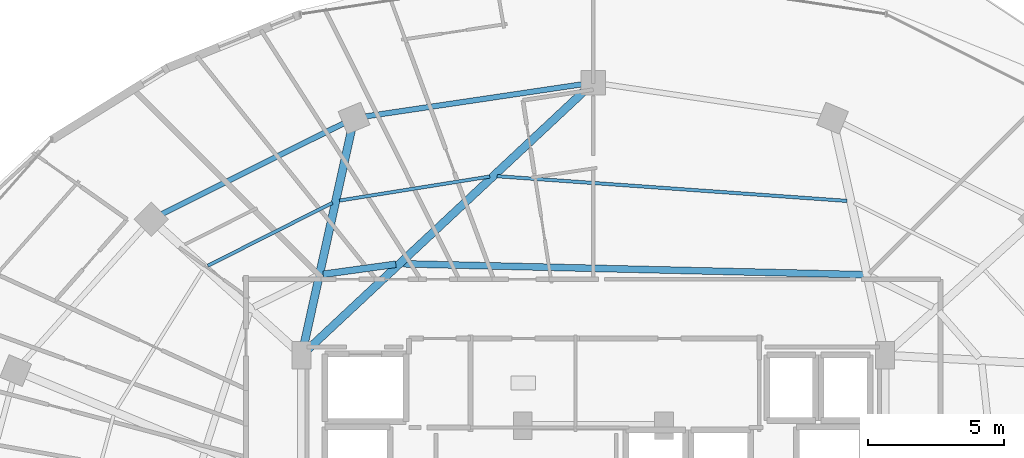
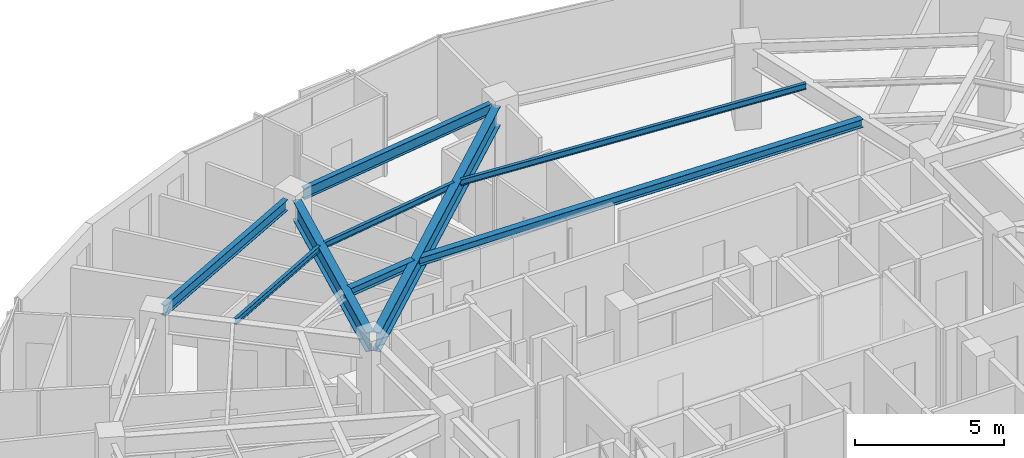
# One storey, part 17 of 32: 9 beams.
"""IFC4 building model written with IfcOpenShell, lengths in metres."""

import ifcopenshell
import ifcopenshell.guid

model = None  # the IFC model being written
_history = None  # IfcOwnerHistory: only IFC2X3 demands one
_inside = {}  # id of a spatial element -> (the spatial element, [elements in it])
_under = {}  # id of a project, library or spatial element -> (it, [spatial elements below it])
_declared = {}  # id of a project -> (the project, [libraries it declares])
_typed = {}  # id of a type object -> (the type object, [elements of that type])
_made_of = {}  # id of a material, layer set ... -> (it, [elements and type objects made of it])


def new_model(schema):
    """Start an empty IFC model of exactly this schema.

    Asked for "IFC4X3", IfcOpenShell would pick the latest addendum, in which some entities
    have other attributes; the version numbers below select the first issue.
    IFC2X3 requires an IfcOwnerHistory on every rooted entity: one is made here for all.
    """
    global model, _history
    if schema == "IFC4X3":
        model = ifcopenshell.file(schema_version=(4, 3, 0, 0))
    else:
        model = ifcopenshell.file(schema=schema)
    _inside.clear()
    _under.clear()
    _declared.clear()
    _typed.clear()
    _made_of.clear()
    _history = None
    if model.schema == "IFC2X3":
        org = make("IfcOrganization", Name="unknown")
        user = make(
            "IfcPersonAndOrganization",
            ThePerson=make("IfcPerson", FamilyName="unknown"),
            TheOrganization=org,
        )
        app = make(
            "IfcApplication",
            ApplicationDeveloper=org,
            Version="unknown",
            ApplicationFullName="unknown",
            ApplicationIdentifier="unknown",
        )
        _history = make(
            "IfcOwnerHistory",
            OwningUser=user,
            OwningApplication=app,
            ChangeAction="ADDED",
            CreationDate=0,
        )
    return model


def make(cls, **values):
    """One entity of the class cls with the attributes given. An attribute that is None is left unset."""
    return model.create_entity(
        cls, **{name: value for name, value in values.items() if value is not None}
    )


def rooted(cls, **values):
    """An entity with a GlobalId (a new one), such as an element, a storey or a relation."""
    return make(cls, GlobalId=ifcopenshell.guid.new(), OwnerHistory=_history, **values)


def si_unit(unit_type, name, prefix=None):
    """IfcSIUnit, for example si_unit("LENGTHUNIT", "METRE", prefix="MILLI")."""
    return make("IfcSIUnit", UnitType=unit_type, Prefix=prefix, Name=name)


def assignment(units):
    """IfcUnitAssignment: the units of a project."""
    return None if units is None else make("IfcUnitAssignment", Units=units)


def point(xyz):
    """IfcCartesianPoint."""
    return None if xyz is None else make("IfcCartesianPoint", Coordinates=xyz)


def direction(xyz):
    """IfcDirection."""
    return None if xyz is None else make("IfcDirection", DirectionRatios=xyz)


def frame(location, z_axis=None, x_axis=None):
    """IfcAxis2Placement3D, a coordinate frame: its origin and axes. An axis left out is left unset."""
    return make(
        "IfcAxis2Placement3D",
        Location=point(location),
        Axis=direction(z_axis),
        RefDirection=direction(x_axis),
    )


def frame_2d(location, x_axis=None):
    """IfcAxis2Placement2D, a coordinate frame in the plane: its origin and x axis."""
    return make(
        "IfcAxis2Placement2D", Location=point(location), RefDirection=direction(x_axis)
    )


def origin():
    """The frame at (0, 0, 0) with its axes left unset."""
    return frame((0.0, 0.0, 0.0))


def origin_2d():
    """The frame at (0, 0) in the plane with its x axis left unset."""
    return frame_2d((0.0, 0.0))


def place(relative_to, where):
    """IfcLocalPlacement: puts the frame where relative to a parent placement (None: the world)."""
    return make(
        "IfcLocalPlacement", PlacementRelTo=relative_to, RelativePlacement=where
    )


def context(
    kind, dimensions, precision=None, world=None, true_north=None, identifier=None
):
    """IfcGeometricRepresentationContext, for example the 3D "Model" context."""
    return make(
        "IfcGeometricRepresentationContext",
        ContextIdentifier=identifier,
        ContextType=kind,
        CoordinateSpaceDimension=dimensions,
        Precision=precision,
        WorldCoordinateSystem=world,
        TrueNorth=true_north,
    )


def subcontext(parent, identifier, kind, view, scale=None):
    """IfcGeometricRepresentationSubContext, for example "Body" below "Model"."""
    return make(
        "IfcGeometricRepresentationSubContext",
        ContextIdentifier=identifier,
        ContextType=kind,
        ParentContext=parent,
        TargetScale=scale,
        TargetView=view,
    )


def project(units=None, contexts=None):
    """IfcProject with its units and contexts."""
    return rooted(
        "IfcProject",
        Name="project",
        RepresentationContexts=contexts,
        UnitsInContext=assignment(units),
    )


def spatial(cls, under=None, at=None, **own):
    """A site, building, storey or space (cls), placed at a placement, below another one or the project."""
    s = rooted(cls, ObjectPlacement=at, **own)
    if under is not None:
        _under.setdefault(under.id(), (under, []))[1].append(s)
    return s


def profile(cls, at=None, kind="AREA", **sizes):
    """A parametric profile (cls). Its sizes go by their IFC names, for example OverallWidth=200.0."""
    return make(cls, ProfileType=kind, Position=at, **sizes)


def i_section(**sizes):
    """IfcIShapeProfileDef."""
    return profile("IfcIShapeProfileDef", **sizes)


def extrude(swept, where, along, depth):
    """IfcExtrudedAreaSolid: the profile swept, set in the frame where, extruded along a direction by depth."""
    return make(
        "IfcExtrudedAreaSolid",
        SweptArea=swept,
        Position=where,
        ExtrudedDirection=direction(along),
        Depth=depth,
    )


def shape(context_of_items, identifier, shape_type, items):
    """IfcShapeRepresentation: the items that make up one representation, for example the "Body"."""
    return make(
        "IfcShapeRepresentation",
        ContextOfItems=context_of_items,
        RepresentationIdentifier=identifier,
        RepresentationType=shape_type,
        Items=items,
    )


def material(Name=None, Category=None):
    """IfcMaterial."""
    return make("IfcMaterial", Name=Name, Category=Category)


def material_profile(
    of_material, cross_section, Name=None, Category=None, Priority=None
):
    """IfcMaterialProfile: a cross section and its material."""
    return make(
        "IfcMaterialProfile",
        Name=Name,
        Material=of_material,
        Profile=cross_section,
        Priority=Priority,
        Category=Category,
    )


def profile_set(profiles, Name=None, composite=None):
    """IfcMaterialProfileSet."""
    return make(
        "IfcMaterialProfileSet",
        Name=Name,
        MaterialProfiles=profiles,
        CompositeProfile=composite,
    )


def made_of(thing, what):
    """Note that an element or type object is made of a material, layer set ...; save() writes the relation."""
    if what is not None:
        _made_of.setdefault(what.id(), (what, []))[1].append(thing)
    return thing


def type_object(cls, material=None, **own):
    """A type object (cls), such as IfcWallType, which elements share."""
    return made_of(rooted(cls, **own), material)


def element(
    cls,
    number,
    at=None,
    inside=None,
    cuts=None,
    type_object=None,
    material=None,
    context=None,
    identifier="Body",
    shape_type=None,
    held_by="IfcProductDefinitionShape",
    body=None,
    shapes=None,
    **own,
):
    """One element of the class cls, such as IfcWall. Its Tag is "e" and its number.

    at: its placement. inside: the storey or other place that contains it. cuts: it is an
    opening in that element (IfcRelVoidsElement). A single representation is given by context,
    identifier, shape_type and body (its items); several are given by shapes. held_by: the class
    of the entity that holds the representations. save() writes the other relations.
    """
    e = rooted(cls, Tag="e%d" % number, ObjectPlacement=at, **own)
    if body is not None:
        shapes = [shape(context, identifier, shape_type, body)]
    if shapes is not None:
        e.Representation = make(held_by, Representations=shapes)
    if inside is not None:
        _inside.setdefault(inside.id(), (inside, []))[1].append(e)
    if cuts is not None:
        rooted(
            "IfcRelVoidsElement", RelatingBuildingElement=cuts, RelatedOpeningElement=e
        )
    if type_object is not None:
        _typed.setdefault(type_object.id(), (type_object, []))[1].append(e)
    return made_of(e, material)


def aggregate(whole, parts):
    """IfcRelAggregates: a whole, such as a stair, and the parts it consists of."""
    return rooted("IfcRelAggregates", RelatingObject=whole, RelatedObjects=parts)


def save(model, path):
    """Write the relations noted so far, then the file.

    IfcRelAggregates (storeys below a building ...), IfcRelContainedInSpatialStructure (elements
    in a storey), IfcRelDefinesByType, IfcRelAssociatesMaterial and IfcRelDeclares: one each for
    every whole, place, type object, material and project.
    """
    for whole, parts in _under.values():
        aggregate(whole, parts)
    for where, things in _inside.values():
        rooted(
            "IfcRelContainedInSpatialStructure",
            RelatedElements=things,
            RelatingStructure=where,
        )
    for kind, things in _typed.values():
        rooted("IfcRelDefinesByType", RelatedObjects=things, RelatingType=kind)
    for what, things in _made_of.values():
        rooted("IfcRelAssociatesMaterial", RelatedObjects=things, RelatingMaterial=what)
    for by, libraries in _declared.values():
        rooted("IfcRelDeclares", RelatingContext=by, RelatedDefinitions=libraries)
    model.write(path)


model = new_model("IFC4")

# Units and contexts
model_context = context("Model", 3, precision=1e-05, world=origin(), true_north=direction((0.0, 1.0)))
body_context = subcontext(model_context, "Body", "Model", "MODEL_VIEW")
ifc_project = project(units=[si_unit("LENGTHUNIT", "METRE"), si_unit("AREAUNIT", "SQUARE_METRE"), si_unit("VOLUMEUNIT", "CUBIC_METRE"), si_unit("PLANEANGLEUNIT", "RADIAN"), si_unit("MASSUNIT", "GRAM", prefix="KILO")], contexts=[model_context])

# Site, building, storey
site_placement = place(None, origin())
site = spatial("IfcSite", under=ifc_project, at=site_placement, CompositionType="ELEMENT")
building_placement = place(site_placement, origin())
building = spatial("IfcBuilding", under=site, at=building_placement, Name="Vorneva Point Tower", CompositionType="ELEMENT")
storey_placement = place(building_placement, frame((0.0, 0.0, 207.199951171875)))
storey = spatial("IfcBuildingStorey", under=building, at=storey_placement, Name="L56", CompositionType="ELEMENT", Elevation=207.199951171875)

# Beams
ifc_material = material(Name="Steel S355", Category="steel")
ifc_material_profile_1 = material_profile(ifc_material, i_section(OverallWidth=0.300048828125, OverallDepth=0.7880859375, WebThickness=0.014404296875, FlangeThickness=0.02197265625, at=origin_2d()), Name="80Sh1")
ifc_profile_set_1 = profile_set([ifc_material_profile_1], Name="Steel S355")
beam_type_1 = type_object("IfcBeamType", Name="BM-GRD-80Sh1", PredefinedType="USERDEFINED", material=ifc_profile_set_1)
beam_1_placement = place(storey_placement, frame((37.679931640625, 42.90087890625, 2.89599609375), z_axis=(-0.730484767146, -0.682928989696, 0.0), x_axis=(0.682928989696, -0.730484767146, 0.0)))
element("IfcBeam", 1, at=beam_1_placement, inside=storey, type_object=beam_type_1, Name="L56 Radial Primary Girder 05", ObjectType="GIRDER", PredefinedType="USERDEFINED", context=body_context, shape_type="SweptSolid", body=[
    extrude(i_section(OverallWidth=0.300048828125, OverallDepth=0.7880859375, WebThickness=0.014404296875, FlangeThickness=0.02197265625, at=origin_2d()), origin(), (0.0, 0.0, 1.0), 13.938232421875),
])
beam_2_placement = place(storey_placement, frame((29.084716796875, 41.462890625, 2.89599609375), z_axis=(-0.215522758292, -0.976498817541, 0.0), x_axis=(0.976498817541, -0.215522758292, 0.0)))
element("IfcBeam", 2, at=beam_2_placement, inside=storey, type_object=beam_type_1, Name="L56 Radial Primary Girder 06", ObjectType="GIRDER", PredefinedType="USERDEFINED", context=body_context, shape_type="SweptSolid", body=[
    extrude(i_section(OverallWidth=0.300048828125, OverallDepth=0.7880859375, WebThickness=0.014404296875, FlangeThickness=0.02197265625, at=origin_2d()), origin(), (0.0, 0.0, 1.0), 8.173095703125),
])
ifc_material_profile_2 = material_profile(ifc_material, i_section(OverallWidth=0.1240234375, OverallDepth=0.248046875, WebThickness=0.0048828125, FlangeThickness=0.008056640625, at=origin_2d()), Name="25B1")
ifc_profile_set_2 = profile_set([ifc_material_profile_2], Name="Steel S355")
beam_type_2 = type_object("IfcBeamType", Name="BM-JST-25B1", PredefinedType="JOIST", material=ifc_profile_set_2)
beam_3_placement = place(storey_placement, frame((47.35888671875, 38.839111328125, 3.166015625), z_axis=(-0.997516721019, 0.070430045344, 0.0), x_axis=(-0.070430045344, -0.997516721019, 0.0)))
element("IfcBeam", 3, at=beam_3_placement, inside=storey, type_object=beam_type_2, Name="L56 Secondary Floor Beam 1.04", PredefinedType="JOIST", context=body_context, shape_type="SweptSolid", body=[
    extrude(i_section(OverallWidth=0.1240234375, OverallDepth=0.248046875, WebThickness=0.0048828125, FlangeThickness=0.008056640625, at=origin_2d()), origin(), (0.0, 0.0, 1.0), 12.933349609375),
])
beam_4_placement = place(storey_placement, frame((34.183837890625, 39.73779296875, 3.166015625), z_axis=(-0.987450398391, -0.157929448543, 0.0), x_axis=(0.157929448543, -0.987450398391, 0.0)))
element("IfcBeam", 4, at=beam_4_placement, inside=storey, type_object=beam_type_2, Name="L56 Secondary Floor Beam 1.05", PredefinedType="JOIST", context=body_context, shape_type="SweptSolid", body=[
    extrude(i_section(OverallWidth=0.1240234375, OverallDepth=0.248046875, WebThickness=0.0048828125, FlangeThickness=0.008056640625, at=origin_2d()), origin(), (0.0, 0.0, 1.0), 5.61474609375),
])
beam_5_placement = place(storey_placement, frame((28.38037109375, 38.76708984375, 3.166015625), z_axis=(-0.892634985647, -0.450780192997, 0.0), x_axis=(0.450780192997, -0.892634985647, 0.0)))
element("IfcBeam", 5, at=beam_5_placement, inside=storey, type_object=beam_type_2, Name="L56 Secondary Floor Beam 1.06", PredefinedType="JOIST", context=body_context, shape_type="SweptSolid", body=[
    extrude(i_section(OverallWidth=0.1240234375, OverallDepth=0.248046875, WebThickness=0.0048828125, FlangeThickness=0.008056640625, at=origin_2d()), origin(), (0.0, 0.0, 1.0), 5.142333984375),
])
ifc_material_profile_3 = material_profile(ifc_material, i_section(OverallWidth=0.2490234375, OverallDepth=0.333984375, WebThickness=0.008056640625, FlangeThickness=0.010986328125, at=origin_2d()), Name="35Sh1")
ifc_profile_set_3 = profile_set([ifc_material_profile_3], Name="Steel S355")
beam_type_3 = type_object("IfcBeamType", Name="BM-SEC-35Sh1", PredefinedType="BEAM", material=ifc_profile_set_3)
beam_6_placement = place(storey_placement, frame((47.95751953125, 36.118896484375, 3.123046875), z_axis=(-0.999720468409, 0.02364286456, 0.0), x_axis=(-0.02364286456, -0.999720468409, 0.0)))
element("IfcBeam", 6, at=beam_6_placement, inside=storey, type_object=beam_type_3, Name="L56 Secondary Floor Beam 2.04", PredefinedType="BEAM", context=body_context, shape_type="SweptSolid", body=[
    extrude(i_section(OverallWidth=0.2490234375, OverallDepth=0.333984375, WebThickness=0.008056640625, FlangeThickness=0.010986328125, at=origin_2d()), origin(), (0.0, 0.0, 1.0), 16.9658203125),
])
beam_7_placement = place(storey_placement, frame((30.7216796875, 36.50439453125, 3.123046875), z_axis=(-0.990613125996, -0.136695408132, 0.0), x_axis=(0.136695408132, -0.990613125996, 0.0)))
element("IfcBeam", 7, at=beam_7_placement, inside=storey, type_object=beam_type_3, Name="L56 Secondary Floor Beam 2.05", PredefinedType="BEAM", context=body_context, shape_type="SweptSolid", body=[
    extrude(i_section(OverallWidth=0.2490234375, OverallDepth=0.333984375, WebThickness=0.008056640625, FlangeThickness=0.010986328125, at=origin_2d()), origin(), (0.0, 0.0, 1.0), 2.705810546875),
])
ifc_material_profile_4 = material_profile(ifc_material, i_section(OverallWidth=0.198974609375, OverallDepth=0.446044921875, WebThickness=0.008056640625, FlangeThickness=0.011962890625, at=origin_2d()), Name="45B1")
ifc_profile_set_4 = profile_set([ifc_material_profile_4], Name="Steel S355")
beam_type_4 = type_object("IfcBeamType", Name="BM-SPN-45B1", PredefinedType="SPANDREL", material=ifc_profile_set_4)
beam_8_placement = place(storey_placement, frame((37.569580078125, 43.135986328125, 3.067138671875), z_axis=(-0.989165476332, -0.146804837907, 0.0), x_axis=(0.146804837907, -0.989165476332, 0.0)))
element("IfcBeam", 8, at=beam_8_placement, inside=storey, type_object=beam_type_4, Name="L56 Perimeter Spandrel Ring Beam 05", PredefinedType="SPANDREL", context=body_context, shape_type="SweptSolid", body=[
    extrude(i_section(OverallWidth=0.198974609375, OverallDepth=0.446044921875, WebThickness=0.008056640625, FlangeThickness=0.011962890625, at=origin_2d()), origin(), (0.0, 0.0, 1.0), 8.04736328125),
])
beam_9_placement = place(storey_placement, frame((28.789794921875, 41.696533203125, 3.067138671875), z_axis=(-0.894922371084, -0.446221861559, 0.0), x_axis=(0.446221861559, -0.894922371084, 0.0)))
element("IfcBeam", 9, at=beam_9_placement, inside=storey, type_object=beam_type_4, Name="L56 Perimeter Spandrel Ring Beam 06", PredefinedType="SPANDREL", context=body_context, shape_type="SweptSolid", body=[
    extrude(i_section(OverallWidth=0.198974609375, OverallDepth=0.446044921875, WebThickness=0.008056640625, FlangeThickness=0.011962890625, at=origin_2d()), origin(), (0.0, 0.0, 1.0), 7.48583984375),
])

save(model, "model.ifc")
